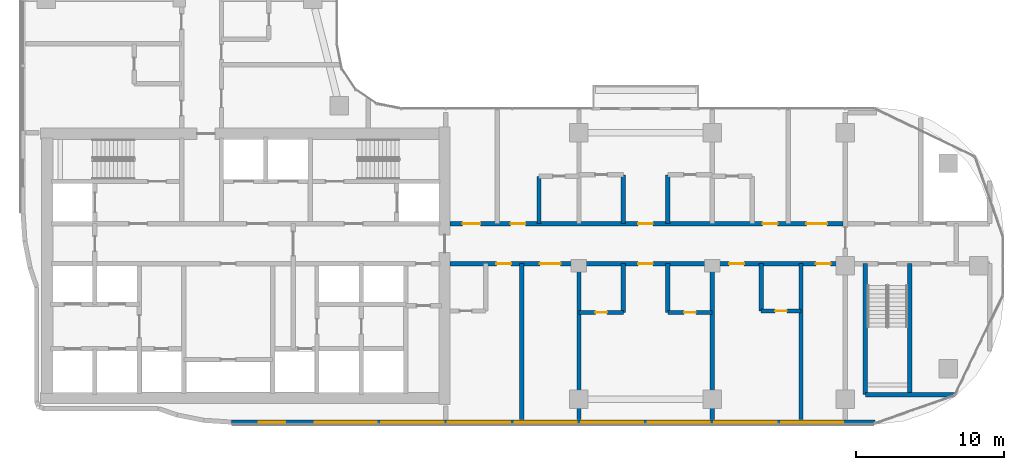
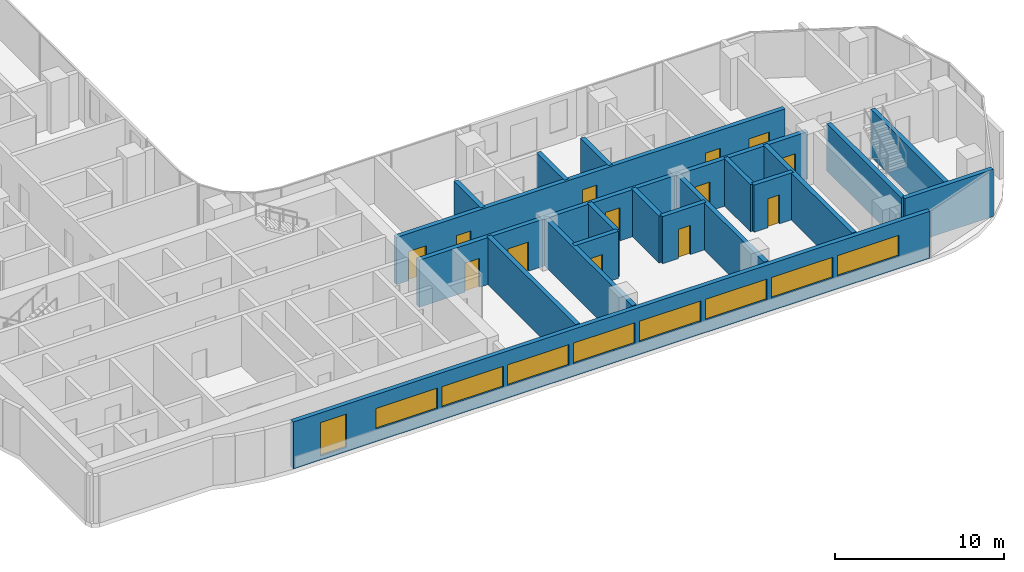
# One storey, part 11 of 23: 19 walls, 13 doors, 9 windows, 22 openings.
"""IFC4 building model written with IfcOpenShell, lengths in metres."""

from ifc_helpers import new_model, si_unit, direction, frame, frame_2d, origin, place, context, subcontext, project, spatial, rectangle, extrude, material, layer, layer_set, type_object, element, fill, save


model = new_model("IFC4")

# Units and contexts
model_context = context("Model", 3, precision=1e-05, world=origin(), true_north=direction((0.0, 1.0)))
body_context = subcontext(model_context, "Body", "Model", "MODEL_VIEW")
ifc_project = project(units=[si_unit("LENGTHUNIT", "METRE"), si_unit("AREAUNIT", "SQUARE_METRE"), si_unit("VOLUMEUNIT", "CUBIC_METRE"), si_unit("PLANEANGLEUNIT", "RADIAN"), si_unit("MASSUNIT", "GRAM", prefix="KILO")], contexts=[model_context])

# Site, building, storey
site_placement = place(None, origin())
site = spatial("IfcSite", under=ifc_project, at=site_placement, CompositionType="ELEMENT")
building_placement = place(site_placement, origin())
building = spatial("IfcBuilding", under=site, at=building_placement, Name="Ogive Portal Towers", CompositionType="ELEMENT")
storey_placement = place(building_placement, frame((0.0, 0.0, 127.800048828125)))
storey = spatial("IfcBuildingStorey", under=building, at=storey_placement, Name="L31", CompositionType="ELEMENT", Elevation=127.800048828125)

# Wall, openings, windows
ifc_material_1 = material(Name="Limestone cladding on lightweight block wall", Category="masonry")
ifc_layer_1 = layer(ifc_material_1, 0.300048828125)
ifc_layer_set_1 = layer_set([ifc_layer_1], Name="EXTERNAL WALL 300 STONE")
wall_type_1 = type_object("IfcWallType", Name="EXTERNAL WALL 300 STONE", PredefinedType="SOLIDWALL", material=ifc_layer_set_1)
wall_1_placement = place(storey_placement, frame((44.009765625, 19.93505859375, 0.0), z_axis=(0.0, 0.0, 1.0), x_axis=(1.0, 0.0, 0.0)))
wall_1 = element("IfcWall", 1, at=wall_1_placement, inside=storey, type_object=wall_type_1, Name="A:L31:f07:r0:wall", PredefinedType="SOLIDWALL", context=body_context, shape_type="SweptSolid", body=[
    extrude(rectangle(XDim=43.4765625, YDim=0.300048828125, at=frame_2d((21.73828125, 0.0))), origin(), (0.0, 0.0, 1.0), 3.39990234375),
])
opening_1_placement = place(wall_1_placement, frame((1.844970703125, 0.0, 0.300048828125)))
opening_1 = element("IfcOpeningElement", 2, at=opening_1_placement, cuts=wall_1, Name="Opening WN10", PredefinedType="OPENING", context=body_context, shape_type="SweptSolid", body=[
    extrude(rectangle(XDim=1.800048828125, YDim=2.39990234375, at=frame_2d((0.89990234375, 1.199951171875))), frame((0.0, 0.16015625, 0.0), z_axis=(0.0, -1.0, 0.0), x_axis=(1.0, 0.0, 0.0)), (0.0, 0.0, 1.0), 0.320068359375),
])
opening_2_placement = place(wall_1_placement, frame((5.64013671875, 0.0, 0.89990234375)))
opening_2 = element("IfcOpeningElement", 3, at=opening_2_placement, cuts=wall_1, Name="Opening WN11", PredefinedType="OPENING", context=body_context, shape_type="SweptSolid", body=[
    extrude(rectangle(XDim=4.199951171875, YDim=1.5, at=frame_2d((2.10009765625, 0.75))), frame((0.0, 0.16015625, 0.0), z_axis=(0.0, -1.0, 0.0), x_axis=(1.0, 0.0, 0.0)), (0.0, 0.0, 1.0), 0.320068359375),
])
opening_3_placement = place(wall_1_placement, frame((10.14013671875, 0.0, 0.89990234375)))
opening_3 = element("IfcOpeningElement", 4, at=opening_3_placement, cuts=wall_1, Name="Opening WN11", PredefinedType="OPENING", context=body_context, shape_type="SweptSolid", body=[
    extrude(rectangle(XDim=4.199951171875, YDim=1.5, at=frame_2d((2.10009765625, 0.75))), frame((0.0, 0.16015625, 0.0), z_axis=(0.0, -1.0, 0.0), x_axis=(1.0, 0.0, 0.0)), (0.0, 0.0, 1.0), 0.320068359375),
])
opening_4_placement = place(wall_1_placement, frame((14.64013671875, 0.0, 0.89990234375)))
opening_4 = element("IfcOpeningElement", 5, at=opening_4_placement, cuts=wall_1, Name="Opening WN11", PredefinedType="OPENING", context=body_context, shape_type="SweptSolid", body=[
    extrude(rectangle(XDim=4.199951171875, YDim=1.5, at=frame_2d((2.10009765625, 0.75))), frame((0.0, 0.16015625, 0.0), z_axis=(0.0, -1.0, 0.0), x_axis=(1.0, 0.0, 0.0)), (0.0, 0.0, 1.0), 0.320068359375),
])
opening_5_placement = place(wall_1_placement, frame((19.14013671875, 0.0, 0.89990234375)))
opening_5 = element("IfcOpeningElement", 6, at=opening_5_placement, cuts=wall_1, Name="Opening WN11", PredefinedType="OPENING", context=body_context, shape_type="SweptSolid", body=[
    extrude(rectangle(XDim=4.199951171875, YDim=1.5, at=frame_2d((2.10009765625, 0.75))), frame((0.0, 0.16015625, 0.0), z_axis=(0.0, -1.0, 0.0), x_axis=(1.0, 0.0, 0.0)), (0.0, 0.0, 1.0), 0.320068359375),
])
opening_6_placement = place(wall_1_placement, frame((23.64013671875, 0.0, 0.89990234375)))
opening_6 = element("IfcOpeningElement", 7, at=opening_6_placement, cuts=wall_1, Name="Opening WN11", PredefinedType="OPENING", context=body_context, shape_type="SweptSolid", body=[
    extrude(rectangle(XDim=4.199951171875, YDim=1.5, at=frame_2d((2.10009765625, 0.75))), frame((0.0, 0.16015625, 0.0), z_axis=(0.0, -1.0, 0.0), x_axis=(1.0, 0.0, 0.0)), (0.0, 0.0, 1.0), 0.320068359375),
])
opening_7_placement = place(wall_1_placement, frame((28.14013671875, 0.0, 0.89990234375)))
opening_7 = element("IfcOpeningElement", 8, at=opening_7_placement, cuts=wall_1, Name="Opening WN11", PredefinedType="OPENING", context=body_context, shape_type="SweptSolid", body=[
    extrude(rectangle(XDim=4.199951171875, YDim=1.5, at=frame_2d((2.10009765625, 0.75))), frame((0.0, 0.16015625, 0.0), z_axis=(0.0, -1.0, 0.0), x_axis=(1.0, 0.0, 0.0)), (0.0, 0.0, 1.0), 0.320068359375),
])
opening_8_placement = place(wall_1_placement, frame((32.64013671875, 0.0, 0.89990234375)))
opening_8 = element("IfcOpeningElement", 9, at=opening_8_placement, cuts=wall_1, Name="Opening WN11", PredefinedType="OPENING", context=body_context, shape_type="SweptSolid", body=[
    extrude(rectangle(XDim=4.199951171875, YDim=1.5, at=frame_2d((2.10009765625, 0.75))), frame((0.0, 0.16015625, 0.0), z_axis=(0.0, -1.0, 0.0), x_axis=(1.0, 0.0, 0.0)), (0.0, 0.0, 1.0), 0.320068359375),
])
opening_9_placement = place(wall_1_placement, frame((37.14013671875, 0.0, 0.89990234375)))
opening_9 = element("IfcOpeningElement", 10, at=opening_9_placement, cuts=wall_1, Name="Opening WN11", PredefinedType="OPENING", context=body_context, shape_type="SweptSolid", body=[
    extrude(rectangle(XDim=4.199951171875, YDim=1.5, at=frame_2d((2.10009765625, 0.75))), frame((0.0, 0.16015625, 0.0), z_axis=(0.0, -1.0, 0.0), x_axis=(1.0, 0.0, 0.0)), (0.0, 0.0, 1.0), 0.320068359375),
])
ifc_material_2 = material(Name="Glass, clear low-iron insulated glazing", Category="glass")
window_type_1 = type_object("IfcWindowType", Name="WINDOW RIBBON 4200x1500", PartitioningType="TRIPLE_PANEL_VERTICAL", PredefinedType="WINDOW", material=ifc_material_2)
window_1_placement = place(opening_2_placement, origin())
window_1 = element("IfcWindow", 11, at=window_1_placement, inside=storey, type_object=window_type_1, Name="A:L31:f07:r0:w1", OverallHeight=1.5, OverallWidth=4.199951171875, PartitioningType="SINGLE_PANEL", PredefinedType="WINDOW", context=body_context, shape_type="SweptSolid", body=[
    extrude(rectangle(XDim=4.199951171875, YDim=1.5, at=frame_2d((2.10009765625, 0.75))), frame((0.0, 0.030029296875, 0.0), z_axis=(0.0, -1.0, 0.0), x_axis=(1.0, 0.0, 0.0)), (0.0, 0.0, 1.0), 0.06005859375),
])
fill(opening_2, window_1)
window_2_placement = place(opening_3_placement, origin())
window_2 = element("IfcWindow", 12, at=window_2_placement, inside=storey, type_object=window_type_1, Name="A:L31:f07:r0:w2", OverallHeight=1.5, OverallWidth=4.199951171875, PartitioningType="SINGLE_PANEL", PredefinedType="WINDOW", context=body_context, shape_type="SweptSolid", body=[
    extrude(rectangle(XDim=4.199951171875, YDim=1.5, at=frame_2d((2.10009765625, 0.75))), frame((0.0, 0.030029296875, 0.0), z_axis=(0.0, -1.0, 0.0), x_axis=(1.0, 0.0, 0.0)), (0.0, 0.0, 1.0), 0.06005859375),
])
fill(opening_3, window_2)
window_3_placement = place(opening_4_placement, origin())
window_3 = element("IfcWindow", 13, at=window_3_placement, inside=storey, type_object=window_type_1, Name="A:L31:f07:r0:w3", OverallHeight=1.5, OverallWidth=4.199951171875, PartitioningType="SINGLE_PANEL", PredefinedType="WINDOW", context=body_context, shape_type="SweptSolid", body=[
    extrude(rectangle(XDim=4.199951171875, YDim=1.5, at=frame_2d((2.10009765625, 0.75))), frame((0.0, 0.030029296875, 0.0), z_axis=(0.0, -1.0, 0.0), x_axis=(1.0, 0.0, 0.0)), (0.0, 0.0, 1.0), 0.06005859375),
])
fill(opening_4, window_3)
window_4_placement = place(opening_5_placement, origin())
window_4 = element("IfcWindow", 14, at=window_4_placement, inside=storey, type_object=window_type_1, Name="A:L31:f07:r0:w4", OverallHeight=1.5, OverallWidth=4.199951171875, PartitioningType="SINGLE_PANEL", PredefinedType="WINDOW", context=body_context, shape_type="SweptSolid", body=[
    extrude(rectangle(XDim=4.199951171875, YDim=1.5, at=frame_2d((2.10009765625, 0.75))), frame((0.0, 0.030029296875, 0.0), z_axis=(0.0, -1.0, 0.0), x_axis=(1.0, 0.0, 0.0)), (0.0, 0.0, 1.0), 0.06005859375),
])
fill(opening_5, window_4)
window_5_placement = place(opening_6_placement, origin())
window_5 = element("IfcWindow", 15, at=window_5_placement, inside=storey, type_object=window_type_1, Name="A:L31:f07:r0:w5", OverallHeight=1.5, OverallWidth=4.199951171875, PartitioningType="SINGLE_PANEL", PredefinedType="WINDOW", context=body_context, shape_type="SweptSolid", body=[
    extrude(rectangle(XDim=4.199951171875, YDim=1.5, at=frame_2d((2.10009765625, 0.75))), frame((0.0, 0.030029296875, 0.0), z_axis=(0.0, -1.0, 0.0), x_axis=(1.0, 0.0, 0.0)), (0.0, 0.0, 1.0), 0.06005859375),
])
fill(opening_6, window_5)
window_6_placement = place(opening_7_placement, origin())
window_6 = element("IfcWindow", 16, at=window_6_placement, inside=storey, type_object=window_type_1, Name="A:L31:f07:r0:w6", OverallHeight=1.5, OverallWidth=4.199951171875, PartitioningType="SINGLE_PANEL", PredefinedType="WINDOW", context=body_context, shape_type="SweptSolid", body=[
    extrude(rectangle(XDim=4.199951171875, YDim=1.5, at=frame_2d((2.10009765625, 0.75))), frame((0.0, 0.030029296875, 0.0), z_axis=(0.0, -1.0, 0.0), x_axis=(1.0, 0.0, 0.0)), (0.0, 0.0, 1.0), 0.06005859375),
])
fill(opening_7, window_6)
window_7_placement = place(opening_8_placement, origin())
window_7 = element("IfcWindow", 17, at=window_7_placement, inside=storey, type_object=window_type_1, Name="A:L31:f07:r0:w7", OverallHeight=1.5, OverallWidth=4.199951171875, PartitioningType="SINGLE_PANEL", PredefinedType="WINDOW", context=body_context, shape_type="SweptSolid", body=[
    extrude(rectangle(XDim=4.199951171875, YDim=1.5, at=frame_2d((2.10009765625, 0.75))), frame((0.0, 0.030029296875, 0.0), z_axis=(0.0, -1.0, 0.0), x_axis=(1.0, 0.0, 0.0)), (0.0, 0.0, 1.0), 0.06005859375),
])
fill(opening_8, window_7)
window_8_placement = place(opening_9_placement, origin())
window_8 = element("IfcWindow", 18, at=window_8_placement, inside=storey, type_object=window_type_1, Name="A:L31:f07:r0:w8", OverallHeight=1.5, OverallWidth=4.199951171875, PartitioningType="SINGLE_PANEL", PredefinedType="WINDOW", context=body_context, shape_type="SweptSolid", body=[
    extrude(rectangle(XDim=4.199951171875, YDim=1.5, at=frame_2d((2.10009765625, 0.75))), frame((0.0, 0.030029296875, 0.0), z_axis=(0.0, -1.0, 0.0), x_axis=(1.0, 0.0, 0.0)), (0.0, 0.0, 1.0), 0.06005859375),
])
fill(opening_9, window_8)
window_type_2 = type_object("IfcWindowType", Name="WINDOW SUITE CORNER 1800x2400", PartitioningType="DOUBLE_PANEL_VERTICAL", PredefinedType="WINDOW", material=ifc_material_2)
window_9_placement = place(opening_1_placement, origin())
window_9 = element("IfcWindow", 19, at=window_9_placement, inside=storey, type_object=window_type_2, Name="A:L31:f07:r0:w0", OverallHeight=2.39990234375, OverallWidth=1.800048828125, PartitioningType="SINGLE_PANEL", PredefinedType="WINDOW", context=body_context, shape_type="SweptSolid", body=[
    extrude(rectangle(XDim=1.800048828125, YDim=2.39990234375, at=frame_2d((0.89990234375, 1.199951171875))), frame((0.0, 0.030029296875, 0.0), z_axis=(0.0, -1.0, 0.0), x_axis=(1.0, 0.0, 0.0)), (0.0, 0.0, 1.0), 0.06005859375),
])
fill(opening_1, window_9)

# Walls
ifc_material_3 = material(Name="Concrete C50/60", Category="concrete")
ifc_layer_2 = layer(ifc_material_3, 0.300048828125)
ifc_layer_set_2 = layer_set([ifc_layer_2], Name="STAIR WALL 300 C50")
wall_type_2 = type_object("IfcWallType", Name="STAIR WALL 300 C50", PredefinedType="SHEAR", material=ifc_layer_set_2)
wall_2_placement = place(storey_placement, frame((86.85009765625, 21.800048828125, 0.0), z_axis=(0.0, 0.0, 1.0), x_axis=(1.0, 0.0, 0.0)))
element("IfcWall", 20, at=wall_2_placement, inside=storey, type_object=wall_type_2, Name="Stair wall ST-A4 L31", PredefinedType="SHEAR", context=body_context, shape_type="SweptSolid", body=[
    extrude(rectangle(XDim=6.0458984375, YDim=0.300048828125, at=frame_2d((3.02294921875, 0.0))), origin(), (0.0, 0.0, 1.0), 3.39990234375),
])
for number, where, z_axis, x_axis, name in (
    (21, (86.85009765625, 21.800048828125, 0.0), (0.0, 0.0, 1.0), (0.0, 1.0, 0.0), "Stair wall ST-A4 L31"),
    (22, (89.85009765625, 21.800048828125, 0.0), (0.0, 0.0, 1.0), (0.0, 1.0, 0.0), "Stair wall ST-A4 L31"),
):
    element("IfcWall", number, at=place(storey_placement, frame(where, z_axis=z_axis, x_axis=x_axis)), inside=storey, type_object=wall_type_2, Name=name, PredefinedType="SHEAR", context=body_context, shape_type="SweptSolid", body=[
        extrude(rectangle(XDim=8.849853515625, YDim=0.300048828125, at=frame_2d((4.4248046875, 0.0))), origin(), (0.0, 0.0, 1.0), 3.39990234375),
    ])

# Wall, openings, doors
ifc_material_4 = material(Name="Gypsum board partition on steel studs", Category="steel")
ifc_layer_3 = layer(ifc_material_4, 0.300048828125)
ifc_layer_set_3 = layer_set([ifc_layer_3], Name="WT-PART-300-EI 120")
wall_type_3 = type_object("IfcWallType", Name="WT-PART-300-EI 120", PredefinedType="PARTITIONING", material=ifc_layer_set_3)
wall_3_placement = place(storey_placement, frame((58.800048828125, 30.64990234375, 0.0), z_axis=(0.0, 0.0, 1.0), x_axis=(1.0, 0.0, 0.0)))
wall_3 = element("IfcWall", 23, at=wall_3_placement, inside=storey, type_object=wall_type_3, Name="Wall L31:w006", PredefinedType="PARTITIONING", context=body_context, shape_type="SweptSolid", body=[
    extrude(rectangle(XDim=26.530029296875, YDim=0.300048828125, at=frame_2d((13.26513671875, 0.0))), origin(), (0.0, 0.0, 1.0), 3.39990234375),
])
opening_10_placement = place(wall_3_placement, frame((3.114990234375, 0.0, 0.0)))
opening_10 = element("IfcOpeningElement", 24, at=opening_10_placement, cuts=wall_3, Name="Opening D11-031", PredefinedType="OPENING", context=body_context, shape_type="SweptSolid", body=[
    extrude(rectangle(XDim=1.0, YDim=2.10009765625, at=frame_2d((0.5, 1.050048828125))), frame((0.0, 0.16015625, 0.0), z_axis=(0.0, -1.0, 0.0), x_axis=(1.0, 0.0, 0.0)), (0.0, 0.0, 1.0), 0.320068359375),
])
opening_11_placement = place(wall_3_placement, frame((6.06494140625, 0.0, 0.0)))
opening_11 = element("IfcOpeningElement", 25, at=opening_11_placement, cuts=wall_3, Name="Opening D11-032", PredefinedType="OPENING", context=body_context, shape_type="SweptSolid", body=[
    extrude(rectangle(XDim=1.39990234375, YDim=2.10009765625, at=frame_2d((0.699951171875, 1.050048828125))), frame((0.0, 0.16015625, 0.0), z_axis=(0.0, -1.0, 0.0), x_axis=(1.0, 0.0, 0.0)), (0.0, 0.0, 1.0), 0.320068359375),
])
opening_12_placement = place(wall_3_placement, frame((12.699951171875, 0.0, 0.0)))
opening_12 = element("IfcOpeningElement", 26, at=opening_12_placement, cuts=wall_3, Name="Opening D11-038", PredefinedType="OPENING", context=body_context, shape_type="SweptSolid", body=[
    extrude(rectangle(XDim=1.0, YDim=2.39990234375, at=frame_2d((0.5, 1.199951171875))), frame((0.0, 0.16015625, 0.0), z_axis=(0.0, -1.0, 0.0), x_axis=(1.0, 0.0, 0.0)), (0.0, 0.0, 1.0), 0.320068359375),
])
opening_13_placement = place(wall_3_placement, frame((18.85009765625, 0.0, 0.0)))
opening_13 = element("IfcOpeningElement", 27, at=opening_13_placement, cuts=wall_3, Name="Opening D11-043", PredefinedType="OPENING", context=body_context, shape_type="SweptSolid", body=[
    extrude(rectangle(XDim=1.0, YDim=2.10009765625, at=frame_2d((0.5, 1.050048828125))), frame((0.0, 0.16015625, 0.0), z_axis=(0.0, -1.0, 0.0), x_axis=(1.0, 0.0, 0.0)), (0.0, 0.0, 1.0), 0.320068359375),
])
opening_14_placement = place(wall_3_placement, frame((24.699951171875, 0.0, 0.0)))
opening_14 = element("IfcOpeningElement", 28, at=opening_14_placement, cuts=wall_3, Name="Opening D11-044", PredefinedType="OPENING", context=body_context, shape_type="SweptSolid", body=[
    extrude(rectangle(XDim=1.0, YDim=2.10009765625, at=frame_2d((0.5, 1.050048828125))), frame((0.0, 0.16015625, 0.0), z_axis=(0.0, -1.0, 0.0), x_axis=(1.0, 0.0, 0.0)), (0.0, 0.0, 1.0), 0.320068359375),
])
ifc_material_5 = material(Name="Steel fire door", Category="steel")
door_type_1 = type_object("IfcDoorType", Name="DT-ENTRY-1000x2100-FD90S", OperationType="SINGLE_SWING_LEFT", PredefinedType="DOOR", material=ifc_material_5)
door_1_placement = place(opening_10_placement, origin())
door_1 = element("IfcDoor", 29, at=door_1_placement, inside=storey, type_object=door_type_1, Name="Door D11-031", OperationType="SINGLE_SWING_LEFT", OverallHeight=2.10009765625, OverallWidth=1.0, PredefinedType="DOOR", context=body_context, shape_type="SweptSolid", body=[
    extrude(rectangle(XDim=1.0, YDim=2.10009765625, at=frame_2d((0.5, 1.050048828125))), frame((0.0, 0.02490234375, 0.0), z_axis=(0.0, -1.0, 0.0), x_axis=(1.0, 0.0, 0.0)), (0.0, 0.0, 1.0), 0.050048828125),
])
fill(opening_10, door_1)
door_2_placement = place(opening_13_placement, origin())
door_2 = element("IfcDoor", 30, at=door_2_placement, inside=storey, type_object=door_type_1, Name="Door D11-043", OperationType="SINGLE_SWING_LEFT", OverallHeight=2.10009765625, OverallWidth=1.0, PredefinedType="DOOR", context=body_context, shape_type="SweptSolid", body=[
    extrude(rectangle(XDim=1.0, YDim=2.10009765625, at=frame_2d((0.5, 1.050048828125))), frame((0.0, 0.02490234375, 0.0), z_axis=(0.0, -1.0, 0.0), x_axis=(1.0, 0.0, 0.0)), (0.0, 0.0, 1.0), 0.050048828125),
])
fill(opening_13, door_2)
door_3_placement = place(opening_14_placement, origin())
door_3 = element("IfcDoor", 31, at=door_3_placement, inside=storey, type_object=door_type_1, Name="Door D11-044", OperationType="SINGLE_SWING_RIGHT", OverallHeight=2.10009765625, OverallWidth=1.0, PredefinedType="DOOR", context=body_context, shape_type="SweptSolid", body=[
    extrude(rectangle(XDim=1.0, YDim=2.10009765625, at=frame_2d((0.5, 1.050048828125))), frame((0.0, 0.02490234375, 0.0), z_axis=(0.0, -1.0, 0.0), x_axis=(1.0, 0.0, 0.0)), (0.0, 0.0, 1.0), 0.050048828125),
])
fill(opening_14, door_3)
door_type_2 = type_object("IfcDoorType", Name="DT-ENTRY-1000x2400-FD90S", OperationType="SINGLE_SWING_LEFT", PredefinedType="DOOR", material=ifc_material_5)
door_4_placement = place(opening_12_placement, origin())
door_4 = element("IfcDoor", 32, at=door_4_placement, inside=storey, type_object=door_type_2, Name="Door D11-038", OperationType="SINGLE_SWING_LEFT", OverallHeight=2.39990234375, OverallWidth=1.0, PredefinedType="DOOR", context=body_context, shape_type="SweptSolid", body=[
    extrude(rectangle(XDim=1.0, YDim=2.39990234375, at=frame_2d((0.5, 1.199951171875))), frame((0.0, 0.02490234375, 0.0), z_axis=(0.0, -1.0, 0.0), x_axis=(1.0, 0.0, 0.0)), (0.0, 0.0, 1.0), 0.050048828125),
])
fill(opening_12, door_4)
door_type_3 = type_object("IfcDoorType", Name="DT-ENTRY-1400x2100-FD90S", OperationType="SINGLE_SWING_LEFT", PredefinedType="DOOR", material=ifc_material_5)
door_5_placement = place(opening_11_placement, origin())
door_5 = element("IfcDoor", 33, at=door_5_placement, inside=storey, type_object=door_type_3, Name="Door D11-032", OperationType="SINGLE_SWING_RIGHT", OverallHeight=2.10009765625, OverallWidth=1.39990234375, PredefinedType="DOOR", context=body_context, shape_type="SweptSolid", body=[
    extrude(rectangle(XDim=1.39990234375, YDim=2.10009765625, at=frame_2d((0.699951171875, 1.050048828125))), frame((0.0, 0.02490234375, 0.0), z_axis=(0.0, -1.0, 0.0), x_axis=(1.0, 0.0, 0.0)), (0.0, 0.0, 1.0), 0.050048828125),
])
fill(opening_11, door_5)

wall_4_placement = place(storey_placement, frame((58.800048828125, 33.35009765625, 0.0), z_axis=(0.0, 0.0, 1.0), x_axis=(1.0, 0.0, 0.0)))
wall_4 = element("IfcWall", 34, at=wall_4_placement, inside=storey, type_object=wall_type_3, Name="Wall L31:w008", PredefinedType="PARTITIONING", context=body_context, shape_type="SweptSolid", body=[
    extrude(rectangle(XDim=26.530029296875, YDim=0.300048828125, at=frame_2d((13.26513671875, 0.0))), origin(), (0.0, 0.0, 1.0), 3.39990234375),
])
opening_15_placement = place(wall_4_placement, frame((0.8349609375, 0.0, 0.0)))
opening_15 = element("IfcOpeningElement", 35, at=opening_15_placement, cuts=wall_4, Name="Opening D11-027", PredefinedType="OPENING", context=body_context, shape_type="SweptSolid", body=[
    extrude(rectangle(XDim=1.199951171875, YDim=2.10009765625, at=frame_2d((0.60009765625, 1.050048828125))), frame((0.0, 0.16015625, 0.0), z_axis=(0.0, -1.0, 0.0), x_axis=(1.0, 0.0, 0.0)), (0.0, 0.0, 1.0), 0.320068359375),
])
opening_16_placement = place(wall_4_placement, frame((4.0849609375, 0.0, 0.0)))
opening_16 = element("IfcOpeningElement", 36, at=opening_16_placement, cuts=wall_4, Name="Opening D11-029", PredefinedType="OPENING", context=body_context, shape_type="SweptSolid", body=[
    extrude(rectangle(XDim=1.0, YDim=2.10009765625, at=frame_2d((0.5, 1.050048828125))), frame((0.0, 0.16015625, 0.0), z_axis=(0.0, -1.0, 0.0), x_axis=(1.0, 0.0, 0.0)), (0.0, 0.0, 1.0), 0.320068359375),
])
opening_17_placement = place(wall_4_placement, frame((12.699951171875, 0.0, 0.0)))
opening_17 = element("IfcOpeningElement", 37, at=opening_17_placement, cuts=wall_4, Name="Opening D11-035", PredefinedType="OPENING", context=body_context, shape_type="SweptSolid", body=[
    extrude(rectangle(XDim=1.0, YDim=2.39990234375, at=frame_2d((0.5, 1.199951171875))), frame((0.0, 0.16015625, 0.0), z_axis=(0.0, -1.0, 0.0), x_axis=(1.0, 0.0, 0.0)), (0.0, 0.0, 1.0), 0.320068359375),
])
opening_18_placement = place(wall_4_placement, frame((21.114990234375, 0.0, 0.0)))
opening_18 = element("IfcOpeningElement", 38, at=opening_18_placement, cuts=wall_4, Name="Opening D11-040", PredefinedType="OPENING", context=body_context, shape_type="SweptSolid", body=[
    extrude(rectangle(XDim=1.0, YDim=2.10009765625, at=frame_2d((0.5, 1.050048828125))), frame((0.0, 0.16015625, 0.0), z_axis=(0.0, -1.0, 0.0), x_axis=(1.0, 0.0, 0.0)), (0.0, 0.0, 1.0), 0.320068359375),
])
opening_19_placement = place(wall_4_placement, frame((24.06494140625, 0.0, 0.0)))
opening_19 = element("IfcOpeningElement", 39, at=opening_19_placement, cuts=wall_4, Name="Opening D11-041", PredefinedType="OPENING", context=body_context, shape_type="SweptSolid", body=[
    extrude(rectangle(XDim=1.39990234375, YDim=2.10009765625, at=frame_2d((0.699951171875, 1.050048828125))), frame((0.0, 0.16015625, 0.0), z_axis=(0.0, -1.0, 0.0), x_axis=(1.0, 0.0, 0.0)), (0.0, 0.0, 1.0), 0.320068359375),
])
door_6_placement = place(opening_16_placement, origin())
door_6 = element("IfcDoor", 40, at=door_6_placement, inside=storey, type_object=door_type_1, Name="Door D11-029", OperationType="SINGLE_SWING_LEFT", OverallHeight=2.10009765625, OverallWidth=1.0, PredefinedType="DOOR", context=body_context, shape_type="SweptSolid", body=[
    extrude(rectangle(XDim=1.0, YDim=2.10009765625, at=frame_2d((0.5, 1.050048828125))), frame((0.0, 0.02490234375, 0.0), z_axis=(0.0, -1.0, 0.0), x_axis=(1.0, 0.0, 0.0)), (0.0, 0.0, 1.0), 0.050048828125),
])
fill(opening_16, door_6)
door_7_placement = place(opening_18_placement, origin())
door_7 = element("IfcDoor", 41, at=door_7_placement, inside=storey, type_object=door_type_1, Name="Door D11-040", OperationType="SINGLE_SWING_LEFT", OverallHeight=2.10009765625, OverallWidth=1.0, PredefinedType="DOOR", context=body_context, shape_type="SweptSolid", body=[
    extrude(rectangle(XDim=1.0, YDim=2.10009765625, at=frame_2d((0.5, 1.050048828125))), frame((0.0, 0.02490234375, 0.0), z_axis=(0.0, -1.0, 0.0), x_axis=(1.0, 0.0, 0.0)), (0.0, 0.0, 1.0), 0.050048828125),
])
fill(opening_18, door_7)
door_8_placement = place(opening_17_placement, origin())
door_8 = element("IfcDoor", 42, at=door_8_placement, inside=storey, type_object=door_type_2, Name="Door D11-035", OperationType="SINGLE_SWING_LEFT", OverallHeight=2.39990234375, OverallWidth=1.0, PredefinedType="DOOR", context=body_context, shape_type="SweptSolid", body=[
    extrude(rectangle(XDim=1.0, YDim=2.39990234375, at=frame_2d((0.5, 1.199951171875))), frame((0.0, 0.02490234375, 0.0), z_axis=(0.0, -1.0, 0.0), x_axis=(1.0, 0.0, 0.0)), (0.0, 0.0, 1.0), 0.050048828125),
])
fill(opening_17, door_8)
door_type_4 = type_object("IfcDoorType", Name="DT-ENTRY-1200x2100-FD90S", OperationType="SINGLE_SWING_LEFT", PredefinedType="DOOR", material=ifc_material_5)
door_9_placement = place(opening_15_placement, origin())
door_9 = element("IfcDoor", 43, at=door_9_placement, inside=storey, type_object=door_type_4, Name="Door D11-027", OperationType="SINGLE_SWING_LEFT", OverallHeight=2.10009765625, OverallWidth=1.199951171875, PredefinedType="DOOR", context=body_context, shape_type="SweptSolid", body=[
    extrude(rectangle(XDim=1.199951171875, YDim=2.10009765625, at=frame_2d((0.60009765625, 1.050048828125))), frame((0.0, 0.02490234375, 0.0), z_axis=(0.0, -1.0, 0.0), x_axis=(1.0, 0.0, 0.0)), (0.0, 0.0, 1.0), 0.050048828125),
])
fill(opening_15, door_9)
door_10_placement = place(opening_19_placement, origin())
door_10 = element("IfcDoor", 44, at=door_10_placement, inside=storey, type_object=door_type_3, Name="Door D11-041", OperationType="SINGLE_SWING_RIGHT", OverallHeight=2.10009765625, OverallWidth=1.39990234375, PredefinedType="DOOR", context=body_context, shape_type="SweptSolid", body=[
    extrude(rectangle(XDim=1.39990234375, YDim=2.10009765625, at=frame_2d((0.699951171875, 1.050048828125))), frame((0.0, 0.02490234375, 0.0), z_axis=(0.0, -1.0, 0.0), x_axis=(1.0, 0.0, 0.0)), (0.0, 0.0, 1.0), 0.050048828125),
])
fill(opening_19, door_10)

# Wall, opening, door
ifc_layer_4 = layer(ifc_material_4, 0.300048828125)
ifc_layer_set_4 = layer_set([ifc_layer_4], Name="WT-PART-300-EI 60")
wall_type_4 = type_object("IfcWallType", Name="WT-PART-300-EI 60", PredefinedType="PARTITIONING", material=ifc_layer_set_4)
wall_5_placement = place(storey_placement, frame((67.5, 27.35009765625, 0.0), z_axis=(0.0, 0.0, 1.0), x_axis=(1.0, 0.0, 0.0)))
wall_5 = element("IfcWall", 45, at=wall_5_placement, inside=storey, type_object=wall_type_4, Name="Wall L31:w002", PredefinedType="PARTITIONING", context=body_context, shape_type="SweptSolid", body=[
    extrude(rectangle(XDim=3.0, YDim=0.300048828125, at=frame_2d((1.5, 0.0))), origin(), (0.0, 0.0, 1.0), 3.39990234375),
])
opening_20_placement = place(wall_5_placement, frame((1.10009765625, 0.0, 0.0)))
opening_20 = element("IfcOpeningElement", 46, at=opening_20_placement, cuts=wall_5, Name="Opening D11-036", PredefinedType="OPENING", context=body_context, shape_type="SweptSolid", body=[
    extrude(rectangle(XDim=0.800048828125, YDim=2.10009765625, at=frame_2d((0.39990234375, 1.050048828125))), frame((0.0, 0.16015625, 0.0), z_axis=(0.0, -1.0, 0.0), x_axis=(1.0, 0.0, 0.0)), (0.0, 0.0, 1.0), 0.320068359375),
])
door_type_5 = type_object("IfcDoorType", Name="DT-BATH-800x2100-FD60S", OperationType="SINGLE_SWING_LEFT", PredefinedType="DOOR", material=ifc_material_5)
door_11_placement = place(opening_20_placement, origin())
door_11 = element("IfcDoor", 47, at=door_11_placement, inside=storey, type_object=door_type_5, Name="Door D11-036", OperationType="SINGLE_SWING_LEFT", OverallHeight=2.10009765625, OverallWidth=0.800048828125, PredefinedType="DOOR", context=body_context, shape_type="SweptSolid", body=[
    extrude(rectangle(XDim=0.800048828125, YDim=2.10009765625, at=frame_2d((0.39990234375, 1.050048828125))), frame((0.0, 0.02490234375, 0.0), z_axis=(0.0, -1.0, 0.0), x_axis=(1.0, 0.0, 0.0)), (0.0, 0.0, 1.0), 0.050048828125),
])
fill(opening_20, door_11)

wall_6_placement = place(storey_placement, frame((73.5, 27.35009765625, 0.0), z_axis=(0.0, 0.0, 1.0), x_axis=(1.0, 0.0, 0.0)))
wall_6 = element("IfcWall", 48, at=wall_6_placement, inside=storey, type_object=wall_type_4, Name="Wall L31:w003", PredefinedType="PARTITIONING", context=body_context, shape_type="SweptSolid", body=[
    extrude(rectangle(XDim=3.0, YDim=0.300048828125, at=frame_2d((1.5, 0.0))), origin(), (0.0, 0.0, 1.0), 3.39990234375),
])
opening_21_placement = place(wall_6_placement, frame((1.10009765625, 0.0, 0.0)))
opening_21 = element("IfcOpeningElement", 49, at=opening_21_placement, cuts=wall_6, Name="Opening D11-037", PredefinedType="OPENING", context=body_context, shape_type="SweptSolid", body=[
    extrude(rectangle(XDim=0.800048828125, YDim=2.10009765625, at=frame_2d((0.39990234375, 1.050048828125))), frame((0.0, 0.16015625, 0.0), z_axis=(0.0, -1.0, 0.0), x_axis=(1.0, 0.0, 0.0)), (0.0, 0.0, 1.0), 0.320068359375),
])
door_12_placement = place(opening_21_placement, origin())
door_12 = element("IfcDoor", 50, at=door_12_placement, inside=storey, type_object=door_type_5, Name="Door D11-037", OperationType="SINGLE_SWING_RIGHT", OverallHeight=2.10009765625, OverallWidth=0.800048828125, PredefinedType="DOOR", context=body_context, shape_type="SweptSolid", body=[
    extrude(rectangle(XDim=0.800048828125, YDim=2.10009765625, at=frame_2d((0.39990234375, 1.050048828125))), frame((0.0, 0.02490234375, 0.0), z_axis=(0.0, -1.0, 0.0), x_axis=(1.0, 0.0, 0.0)), (0.0, 0.0, 1.0), 0.050048828125),
])
fill(opening_21, door_12)

wall_7_placement = place(storey_placement, frame((79.800048828125, 27.449951171875, 0.0), z_axis=(0.0, 0.0, 1.0), x_axis=(1.0, 0.0, 0.0)))
wall_7 = element("IfcWall", 51, at=wall_7_placement, inside=storey, type_object=wall_type_4, Name="Wall L31:w005", PredefinedType="PARTITIONING", context=body_context, shape_type="SweptSolid", body=[
    extrude(rectangle(XDim=2.699951171875, YDim=0.300048828125, at=frame_2d((1.35009765625, 0.0))), origin(), (0.0, 0.0, 1.0), 3.39990234375),
])
opening_22_placement = place(wall_7_placement, frame((0.949951171875, 0.0, 0.0)))
opening_22 = element("IfcOpeningElement", 52, at=opening_22_placement, cuts=wall_7, Name="Opening D11-042", PredefinedType="OPENING", context=body_context, shape_type="SweptSolid", body=[
    extrude(rectangle(XDim=0.800048828125, YDim=2.10009765625, at=frame_2d((0.39990234375, 1.050048828125))), frame((0.0, 0.16015625, 0.0), z_axis=(0.0, -1.0, 0.0), x_axis=(1.0, 0.0, 0.0)), (0.0, 0.0, 1.0), 0.320068359375),
])
door_13_placement = place(opening_22_placement, origin())
door_13 = element("IfcDoor", 53, at=door_13_placement, inside=storey, type_object=door_type_5, Name="Door D11-042", OperationType="SINGLE_SWING_LEFT", OverallHeight=2.10009765625, OverallWidth=0.800048828125, PredefinedType="DOOR", context=body_context, shape_type="SweptSolid", body=[
    extrude(rectangle(XDim=0.800048828125, YDim=2.10009765625, at=frame_2d((0.39990234375, 1.050048828125))), frame((0.0, 0.02490234375, 0.0), z_axis=(0.0, -1.0, 0.0), x_axis=(1.0, 0.0, 0.0)), (0.0, 0.0, 1.0), 0.050048828125),
])
fill(opening_22, door_13)

# Walls
wall_8_placement = place(storey_placement, frame((63.6298828125, 20.135009765625, 0.0), z_axis=(0.0, 0.0, 1.0), x_axis=(0.0, 1.0, 0.0)))
element("IfcWall", 54, at=wall_8_placement, inside=storey, type_object=wall_type_4, Name="Wall L31:w048", PredefinedType="PARTITIONING", context=body_context, shape_type="SweptSolid", body=[
    extrude(rectangle(XDim=10.514892578125, YDim=0.300048828125, at=frame_2d((5.25732421875, 0.0))), origin(), (0.0, 0.0, 1.0), 3.39990234375),
])
wall_9_placement = place(storey_placement, frame((64.800048828125, 33.35009765625, 0.0), z_axis=(0.0, 0.0, 1.0), x_axis=(0.0, 1.0, 0.0)))
element("IfcWall", 55, at=wall_9_placement, inside=storey, type_object=wall_type_4, Name="Wall L31:w049", PredefinedType="PARTITIONING", context=body_context, shape_type="SweptSolid", body=[
    extrude(rectangle(XDim=3.199951171875, YDim=0.300048828125, at=frame_2d((1.60009765625, 0.0))), origin(), (0.0, 0.0, 1.0), 3.39990234375),
])
wall_10_placement = place(storey_placement, frame((67.5, 20.135009765625, 0.0), z_axis=(0.0, 0.0, 1.0), x_axis=(0.0, 1.0, 0.0)))
element("IfcWall", 56, at=wall_10_placement, inside=storey, type_object=wall_type_4, Name="Wall L31:w050", PredefinedType="PARTITIONING", context=body_context, shape_type="SweptSolid", body=[
    extrude(rectangle(XDim=10.514892578125, YDim=0.300048828125, at=frame_2d((5.25732421875, 0.0))), origin(), (0.0, 0.0, 1.0), 3.39990234375),
])
for number, where, z_axis, x_axis, name in (
    (57, (70.5, 27.35009765625, 0.0), (0.0, 0.0, 1.0), (0.0, 1.0, 0.0), "Wall L31:w052"),
    (58, (70.5, 33.35009765625, 0.0), (0.0, 0.0, 1.0), (0.0, 1.0, 0.0), "Wall L31:w053"),
    (59, (73.5, 27.35009765625, 0.0), (0.0, 0.0, 1.0), (0.0, 1.0, 0.0), "Wall L31:w054"),
    (60, (73.5, 33.35009765625, 0.0), (0.0, 0.0, 1.0), (0.0, 1.0, 0.0), "Wall L31:w055"),
):
    element("IfcWall", number, at=place(storey_placement, frame(where, z_axis=z_axis, x_axis=x_axis)), inside=storey, type_object=wall_type_4, Name=name, PredefinedType="PARTITIONING", context=body_context, shape_type="SweptSolid", body=[
        extrude(rectangle(XDim=3.2998046875, YDim=0.300048828125, at=frame_2d((1.64990234375, 0.0))), origin(), (0.0, 0.0, 1.0), 3.39990234375),
    ])
wall_11_placement = place(storey_placement, frame((76.5, 20.135009765625, 0.0), z_axis=(0.0, 0.0, 1.0), x_axis=(0.0, 1.0, 0.0)))
element("IfcWall", 61, at=wall_11_placement, inside=storey, type_object=wall_type_4, Name="Wall L31:w056", PredefinedType="PARTITIONING", context=body_context, shape_type="SweptSolid", body=[
    extrude(rectangle(XDim=10.514892578125, YDim=0.300048828125, at=frame_2d((5.25732421875, 0.0))), origin(), (0.0, 0.0, 1.0), 3.39990234375),
])
wall_12_placement = place(storey_placement, frame((79.800048828125, 27.449951171875, 0.0), z_axis=(0.0, 0.0, 1.0), x_axis=(0.0, 1.0, 0.0)))
element("IfcWall", 62, at=wall_12_placement, inside=storey, type_object=wall_type_4, Name="Wall L31:w059", PredefinedType="PARTITIONING", context=body_context, shape_type="SweptSolid", body=[
    extrude(rectangle(XDim=3.199951171875, YDim=0.300048828125, at=frame_2d((1.60009765625, 0.0))), origin(), (0.0, 0.0, 1.0), 3.39990234375),
])
wall_13_placement = place(storey_placement, frame((82.5, 20.135009765625, 0.0), z_axis=(0.0, 0.0, 1.0), x_axis=(0.0, 1.0, 0.0)))
element("IfcWall", 63, at=wall_13_placement, inside=storey, type_object=wall_type_4, Name="Wall L31:w061", PredefinedType="PARTITIONING", context=body_context, shape_type="SweptSolid", body=[
    extrude(rectangle(XDim=10.514892578125, YDim=0.300048828125, at=frame_2d((5.25732421875, 0.0))), origin(), (0.0, 0.0, 1.0), 3.39990234375),
])

save(model, "model.ifc")
